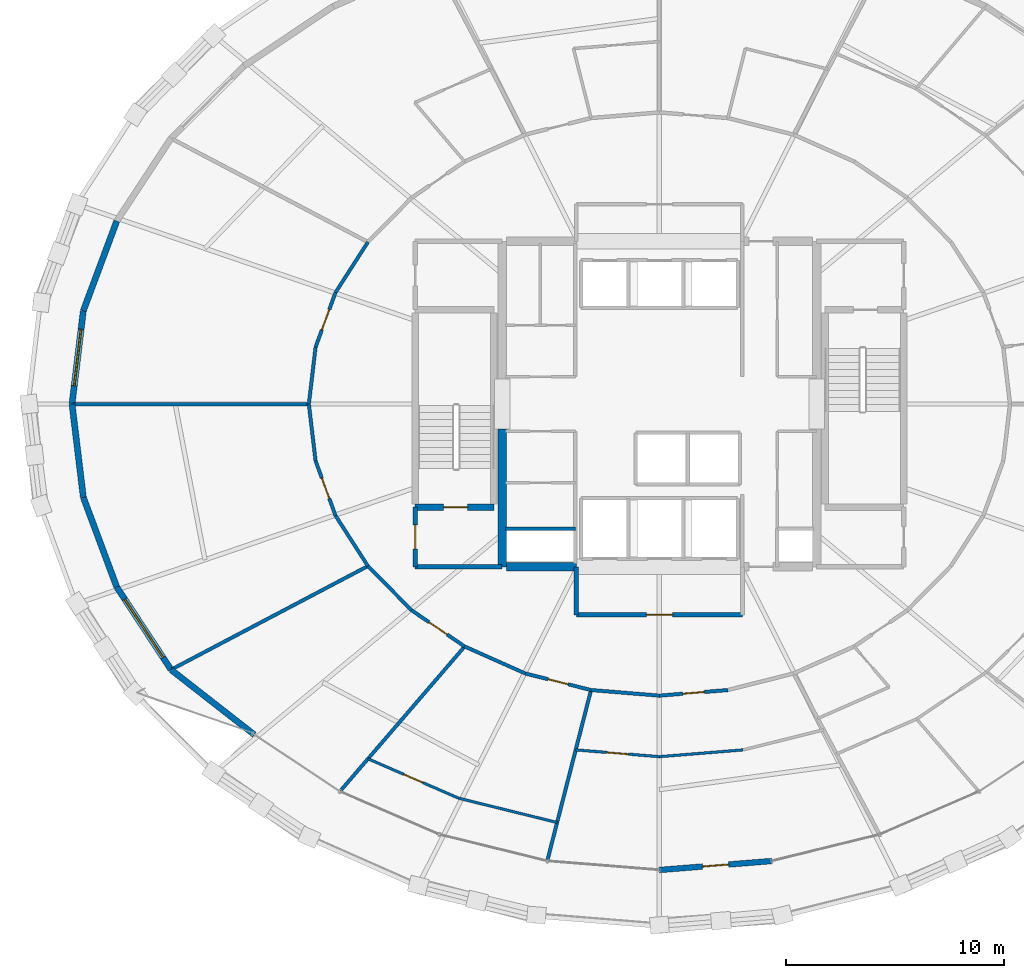
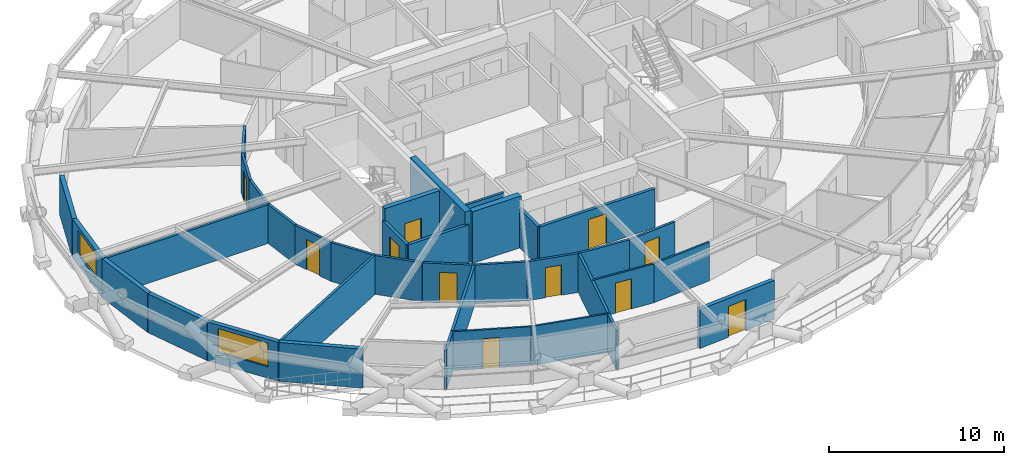
# One storey, part 15 of 21: 35 walls, 11 doors, 2 windows, 13 openings.
"""IFC4 building model written with IfcOpenShell, lengths in metres."""

from ifc_helpers import new_model, si_unit, direction, frame, frame_2d, origin, place, context, subcontext, project, spatial, rectangle, extrude, material, layer, layer_set, type_object, element, fill, save


model = new_model("IFC4")

# Units and contexts
model_context = context("Model", 3, precision=1e-05, world=origin(), true_north=direction((0.0, 1.0)))
body_context = subcontext(model_context, "Body", "Model", "MODEL_VIEW")
ifc_project = project(units=[si_unit("LENGTHUNIT", "METRE"), si_unit("AREAUNIT", "SQUARE_METRE"), si_unit("VOLUMEUNIT", "CUBIC_METRE"), si_unit("PLANEANGLEUNIT", "RADIAN"), si_unit("MASSUNIT", "GRAM", prefix="KILO")], contexts=[model_context])

# Site, building, storey
site_placement = place(None, origin())
site = spatial("IfcSite", under=ifc_project, at=site_placement, CompositionType="ELEMENT")
building_placement = place(site_placement, origin())
building = spatial("IfcBuilding", under=site, at=building_placement, Name="Veldorina Hangang Commons", CompositionType="ELEMENT")
storey_placement = place(building_placement, frame((0.0, 0.0, 66.39990234375)))
storey = spatial("IfcBuildingStorey", under=building, at=storey_placement, Name="L16", CompositionType="ELEMENT", Elevation=66.39990234375)

# Walls
ifc_material_1 = material(Name="Concrete C70/85", Category="concrete")
ifc_layer_1 = layer(ifc_material_1, 0.3798828125)
ifc_layer_set_1 = layer_set([ifc_layer_1], Name="Concrete C70/85")
wall_type_1 = type_object("IfcWallType", Name="CW-RC380-C70", PredefinedType="SHEAR", material=ifc_layer_set_1)
wall_1_placement = place(storey_placement, frame((24.800048828125, 16.550048828125, 0.0), z_axis=(0.0, 0.0, 1.0), x_axis=(0.0, 1.0, 0.0)))
element("IfcWall", 1, at=wall_1_placement, inside=storey, type_object=wall_type_1, Name="L16 W south core shear wall", PredefinedType="SHEAR", context=body_context, shape_type="SweptSolid", body=[
    extrude(rectangle(XDim=6.300048828125, YDim=0.3798828125, at=frame_2d((3.14990234375, 0.0))), origin(), (0.0, 0.0, 1.0), 3.60009765625),
])
wall_2_placement = place(storey_placement, frame((24.989990234375, 16.550048828125, 0.0), z_axis=(0.0, 0.0, 1.0), x_axis=(1.0, 0.0, 0.0)))
element("IfcWall", 2, at=wall_2_placement, inside=storey, type_object=wall_type_1, Name="L16 south-west core shear wall", PredefinedType="SHEAR", context=body_context, shape_type="SweptSolid", body=[
    extrude(rectangle(XDim=3.2099609375, YDim=0.3798828125, at=frame_2d((1.60498046875, 0.0))), origin(), (0.0, 0.0, 1.0), 3.60009765625),
])

# Wall, opening, door
ifc_material_2 = material(Name="Stone Roman Travertine", Category="masonry")
ifc_layer_2 = layer(ifc_material_2, 0.260009765625)
ifc_layer_set_2 = layer_set([ifc_layer_2], Name="Stone Roman Travertine")
wall_type_2 = type_object("IfcWallType", Name="EW-LOGGIA-260", PredefinedType="STANDARD", material=ifc_layer_set_2)
wall_3_placement = place(storey_placement, frame((32.0, 2.66845703125, 0.0), z_axis=(0.0, 0.0, 1.0), x_axis=(0.996831376445, 0.079543742268, 0.0)))
wall_3 = element("IfcWall", 3, at=wall_3_placement, inside=storey, type_object=wall_type_2, Name="L16 sky-garden loggia portal wall 24", PredefinedType="STANDARD", context=body_context, shape_type="SweptSolid", body=[
    extrude(rectangle(XDim=5.1533203125, YDim=0.260009765625, at=frame_2d((2.57666015625, 0.0))), origin(), (0.0, 0.0, 1.0), 2.710205078125),
])
opening_1_placement = place(wall_3_placement, frame((1.976806640625, 0.0, 0.0)))
opening_1 = element("IfcOpeningElement", 4, at=opening_1_placement, cuts=wall_3, Name="Opening BD-1200", PredefinedType="OPENING", context=body_context, shape_type="SweptSolid", body=[
    extrude(rectangle(XDim=1.199951171875, YDim=2.14990234375, at=frame_2d((0.60009765625, 1.074951171875))), frame((0.0, 0.14013671875, 0.0), z_axis=(0.0, -1.0, 0.0), x_axis=(1.0, 0.0, 0.0)), (0.0, 0.0, 1.0), 0.280029296875),
])
ifc_material_3 = material(Name="Glass Thermal Aluminium Frame", Category="aluminium")
door_type_1 = type_object("IfcDoorType", Name="DR-EXT-LOG1200", OperationType="SINGLE_SWING_LEFT", PredefinedType="DOOR", material=ifc_material_3)
door_1_placement = place(opening_1_placement, origin())
door_1 = element("IfcDoor", 5, at=door_1_placement, inside=storey, type_object=door_type_1, Name="L16 loggia glazed exterior door 24", OperationType="SINGLE_SWING_LEFT", OverallHeight=2.14990234375, OverallWidth=1.199951171875, PredefinedType="DOOR", context=body_context, shape_type="SweptSolid", body=[
    extrude(rectangle(XDim=1.199951171875, YDim=2.14990234375, at=frame_2d((0.60009765625, 1.074951171875))), frame((0.0, 0.02490234375, 0.0), z_axis=(0.0, -1.0, 0.0), x_axis=(1.0, 0.0, 0.0)), (0.0, 0.0, 1.0), 0.050048828125),
])
fill(opening_1, door_1)

# Wall
ifc_layer_3 = layer(ifc_material_2, 0.280029296875)
ifc_layer_set_3 = layer_set([ifc_layer_3], Name="Stone Roman Travertine")
wall_type_3 = type_object("IfcWallType", Name="EW-TRAV-280", PredefinedType="STANDARD", material=ifc_layer_set_3)
wall_4_placement = place(storey_placement, frame((7.155517578125, 32.37744140625, 0.0), z_axis=(0.0, 0.0, 1.0), x_axis=(-0.349175205633, -0.93705745596, 0.0)))
element("IfcWall", 6, at=wall_4_placement, inside=storey, type_object=wall_type_3, Name="L16 travertine facade wall 14", PredefinedType="STANDARD", context=body_context, shape_type="SweptSolid", body=[
    extrude(rectangle(XDim=4.382568359375, YDim=0.280029296875, at=frame_2d((2.19140625, 0.0))), origin(), (0.0, 0.0, 1.0), 2.710205078125),
])

# Wall, opening, window
wall_5_placement = place(storey_placement, frame((5.625244140625, 28.270751953125, 0.0), z_axis=(0.0, 0.0, 1.0), x_axis=(-0.120143237499, -0.992756567585, 0.0)))
wall_5 = element("IfcWall", 7, at=wall_5_placement, inside=storey, type_object=wall_type_3, Name="L16 travertine facade wall 15", PredefinedType="STANDARD", context=body_context, shape_type="SweptSolid", body=[
    extrude(rectangle(XDim=4.302001953125, YDim=0.280029296875, at=frame_2d((2.15087890625, 0.0))), origin(), (0.0, 0.0, 1.0), 2.710205078125),
])
opening_2_placement = place(wall_5_placement, frame((0.85107421875, 0.0, 0.800048828125)))
opening_2 = element("IfcOpeningElement", 8, at=opening_2_placement, cuts=wall_5, Name="Opening W-02", PredefinedType="OPENING", context=body_context, shape_type="SweptSolid", body=[
    extrude(rectangle(XDim=2.60009765625, YDim=1.64990234375, at=frame_2d((1.300048828125, 0.824951171875))), frame((0.0, 0.14990234375, 0.0), z_axis=(0.0, -1.0, 0.0), x_axis=(1.0, 0.0, 0.0)), (0.0, 0.0, 1.0), 0.300048828125),
])
ifc_material_4 = material(Name="Glass Low-E Triple IGU", Category="glass")
window_type_1 = type_object("IfcWindowType", Name="WIN-TWR-2600", PartitioningType="SINGLE_PANEL", PredefinedType="WINDOW", material=ifc_material_4)
window_1_placement = place(opening_2_placement, origin())
window_1 = element("IfcWindow", 9, at=window_1_placement, inside=storey, type_object=window_type_1, Name="L16 facade window 15", OverallHeight=1.64990234375, OverallWidth=2.60009765625, PartitioningType="SINGLE_PANEL", PredefinedType="WINDOW", context=body_context, shape_type="SweptSolid", body=[
    extrude(rectangle(XDim=2.60009765625, YDim=1.64990234375, at=frame_2d((1.300048828125, 0.824951171875))), frame((0.0, 0.030029296875, 0.0), z_axis=(0.0, -1.0, 0.0), x_axis=(1.0, 0.0, 0.0)), (0.0, 0.0, 1.0), 0.06005859375),
])
fill(opening_2, window_1)

# Walls
wall_6_placement = place(storey_placement, frame((5.1083984375, 24.0, 0.0), z_axis=(0.0, 0.0, 1.0), x_axis=(0.120143237499, -0.992756567585, 0.0)))
element("IfcWall", 10, at=wall_6_placement, inside=storey, type_object=wall_type_3, Name="L16 travertine facade wall 16", PredefinedType="STANDARD", context=body_context, shape_type="SweptSolid", body=[
    extrude(rectangle(XDim=4.302001953125, YDim=0.280029296875, at=frame_2d((2.15087890625, 0.0))), origin(), (0.0, 0.0, 1.0), 2.710205078125),
])
wall_7_placement = place(storey_placement, frame((5.625244140625, 19.729248046875, 0.0), z_axis=(0.0, 0.0, 1.0), x_axis=(0.349175205633, -0.93705745596, 0.0)))
element("IfcWall", 11, at=wall_7_placement, inside=storey, type_object=wall_type_3, Name="L16 travertine facade wall 17", PredefinedType="STANDARD", context=body_context, shape_type="SweptSolid", body=[
    extrude(rectangle(XDim=4.382568359375, YDim=0.280029296875, at=frame_2d((2.19140625, 0.0))), origin(), (0.0, 0.0, 1.0), 2.710205078125),
])

# Wall, opening, window
wall_8_placement = place(storey_placement, frame((7.155517578125, 15.62255859375, 0.0), z_axis=(0.0, 0.0, 1.0), x_axis=(0.54881308027, -0.83594509564, 0.0)))
wall_8 = element("IfcWall", 12, at=wall_8_placement, inside=storey, type_object=wall_type_3, Name="L16 travertine facade wall 18", PredefinedType="STANDARD", context=body_context, shape_type="SweptSolid", body=[
    extrude(rectangle(XDim=4.527587890625, YDim=0.280029296875, at=frame_2d((2.263671875, 0.0))), origin(), (0.0, 0.0, 1.0), 2.710205078125),
])
opening_3_placement = place(wall_8_placement, frame((0.663818359375, 0.0, 0.800048828125)))
opening_3 = element("IfcOpeningElement", 13, at=opening_3_placement, cuts=wall_8, Name="Opening W-01", PredefinedType="OPENING", context=body_context, shape_type="SweptSolid", body=[
    extrude(rectangle(XDim=3.199951171875, YDim=1.64990234375, at=frame_2d((1.60009765625, 0.824951171875))), frame((0.0, 0.14990234375, 0.0), z_axis=(0.0, -1.0, 0.0), x_axis=(1.0, 0.0, 0.0)), (0.0, 0.0, 1.0), 0.300048828125),
])
window_type_2 = type_object("IfcWindowType", Name="WIN-TWR-3200", PartitioningType="SINGLE_PANEL", PredefinedType="WINDOW", material=ifc_material_4)
window_2_placement = place(opening_3_placement, origin())
window_2 = element("IfcWindow", 14, at=window_2_placement, inside=storey, type_object=window_type_2, Name="L16 facade window 18", OverallHeight=1.64990234375, OverallWidth=3.199951171875, PartitioningType="SINGLE_PANEL", PredefinedType="WINDOW", context=body_context, shape_type="SweptSolid", body=[
    extrude(rectangle(XDim=3.199951171875, YDim=1.64990234375, at=frame_2d((1.60009765625, 0.824951171875))), frame((0.0, 0.030029296875, 0.0), z_axis=(0.0, -1.0, 0.0), x_axis=(1.0, 0.0, 0.0)), (0.0, 0.0, 1.0), 0.06005859375),
])
fill(opening_3, window_2)

# Wall
wall_9_placement = place(storey_placement, frame((9.640380859375, 11.837646484375, 0.0), z_axis=(0.0, 0.0, 1.0), x_axis=(0.788136059421, -0.615501057546, 0.0)))
element("IfcWall", 15, at=wall_9_placement, inside=storey, type_object=wall_type_3, Name="L16 travertine facade wall 19", PredefinedType="STANDARD", context=body_context, shape_type="SweptSolid", body=[
    extrude(rectangle(XDim=4.837890625, YDim=0.280029296875, at=frame_2d((2.4189453125, 0.0))), origin(), (0.0, 0.0, 1.0), 2.710205078125),
])

# Wall, opening, door
ifc_material_5 = material(Name="Concrete C50/60", Category="concrete")
ifc_layer_4 = layer(ifc_material_5, 0.300048828125)
ifc_layer_set_4 = layer_set([ifc_layer_4], Name="Concrete C50/60")
wall_type_4 = type_object("IfcWallType", Name="SW-STAIR-300", PredefinedType="SHEAR", material=ifc_layer_set_4)
wall_10_placement = place(storey_placement, frame((20.820068359375, 19.280029296875, 0.0), z_axis=(0.0, 0.0, 1.0), x_axis=(1.0, 0.0, 0.0)))
wall_10 = element("IfcWall", 16, at=wall_10_placement, inside=storey, type_object=wall_type_4, Name="L16 ST1 south stair shear wall", PredefinedType="SHEAR", context=body_context, shape_type="SweptSolid", body=[
    extrude(rectangle(XDim=3.599853515625, YDim=0.300048828125, at=frame_2d((1.7998046875, 0.0))), origin(), (0.0, 0.0, 1.0), 3.60009765625),
])
opening_4_placement = place(wall_10_placement, frame((1.300048828125, 0.0, 0.0)))
opening_4 = element("IfcOpeningElement", 17, at=opening_4_placement, cuts=wall_10, Name="Opening D-08", PredefinedType="OPENING", context=body_context, shape_type="SweptSolid", body=[
    extrude(rectangle(XDim=1.10009765625, YDim=2.10009765625, at=frame_2d((0.550048828125, 1.050048828125))), frame((0.0, 0.16015625, 0.0), z_axis=(0.0, -1.0, 0.0), x_axis=(1.0, 0.0, 0.0)), (0.0, 0.0, 1.0), 0.320068359375),
])
ifc_material_6 = material(Name="Steel Fire-Rated Smoke Seal", Category="steel")
door_type_2 = type_object("IfcDoorType", Name="DR-FIRE-1100", OperationType="SINGLE_SWING_RIGHT", PredefinedType="DOOR", material=ifc_material_6)
door_2_placement = place(opening_4_placement, origin())
door_2 = element("IfcDoor", 18, at=door_2_placement, inside=storey, type_object=door_type_2, Name="L16 Special Escape Stair ST-1 door", OperationType="SINGLE_SWING_LEFT", OverallHeight=2.10009765625, OverallWidth=1.10009765625, PredefinedType="DOOR", context=body_context, shape_type="SweptSolid", body=[
    extrude(rectangle(XDim=1.10009765625, YDim=2.10009765625, at=frame_2d((0.550048828125, 1.050048828125))), frame((0.0, 0.02490234375, 0.0), z_axis=(0.0, -1.0, 0.0), x_axis=(1.0, 0.0, 0.0)), (0.0, 0.0, 1.0), 0.050048828125),
])
fill(opening_4, door_2)

# Walls
ifc_material_7 = material(Name="Gypsum Fire-Rated Twin Stud Wall", Category="gypsum")
ifc_layer_5 = layer(ifc_material_7, 0.159912109375)
ifc_layer_set_5 = layer_set([ifc_layer_5], Name="Gypsum Fire-Rated Twin Stud Wall")
wall_type_5 = type_object("IfcWallType", Name="WL-FIRE-160", PredefinedType="SOLIDWALL", material=ifc_layer_set_5)
wall_11_placement = place(storey_placement, frame((24.949951171875, 18.300048828125, 0.0), z_axis=(0.0, 0.0, 1.0), x_axis=(1.0, 0.0, 0.0)))
element("IfcWall", 19, at=wall_11_placement, inside=storey, type_object=wall_type_5, Name="L16 Electrical riser wall 035", PredefinedType="SOLIDWALL", context=body_context, shape_type="SweptSolid", body=[
    extrude(rectangle(XDim=3.199951171875, YDim=0.159912109375, at=frame_2d((1.60009765625, 0.0))), origin(), (0.0, 0.0, 1.0), 2.710205078125),
])
wall_12_placement = place(storey_placement, frame((18.65478515625, 31.4169921875, 0.0), z_axis=(0.0, 0.0, 1.0), x_axis=(-0.540595670038, -0.841282545603, 0.0)))
element("IfcWall", 20, at=wall_12_placement, inside=storey, type_object=wall_type_5, Name="L16 Corridor outer wall 13 061", PredefinedType="SOLIDWALL", context=body_context, shape_type="SweptSolid", body=[
    extrude(rectangle(XDim=2.74365234375, YDim=0.159912109375, at=frame_2d((1.371826171875, 0.0))), origin(), (0.0, 0.0, 1.0), 2.710205078125),
])

# Wall, opening, door
wall_13_placement = place(storey_placement, frame((17.171630859375, 29.10888671875, 0.0), z_axis=(0.0, 0.0, 1.0), x_axis=(-0.342617982381, -0.939474809747, 0.0)))
wall_13 = element("IfcWall", 21, at=wall_13_placement, inside=storey, type_object=wall_type_5, Name="L16 Corridor outer wall 14 062", PredefinedType="SOLIDWALL", context=body_context, shape_type="SweptSolid", body=[
    extrude(rectangle(XDim=2.665771484375, YDim=0.159912109375, at=frame_2d((1.3330078125, 0.0))), origin(), (0.0, 0.0, 1.0), 2.710205078125),
])
opening_5_placement = place(wall_13_placement, frame((0.832763671875, 0.0, 0.0)))
opening_5 = element("IfcOpeningElement", 22, at=opening_5_placement, cuts=wall_13, Name="Opening D-05", PredefinedType="OPENING", context=body_context, shape_type="SweptSolid", body=[
    extrude(rectangle(XDim=1.0, YDim=2.10009765625, at=frame_2d((0.5, 1.050048828125))), frame((0.0, 0.08984375, 0.0), z_axis=(0.0, -1.0, 0.0), x_axis=(1.0, 0.0, 0.0)), (0.0, 0.0, 1.0), 0.179931640625),
])
ifc_material_8 = material(Name="Timber Solid Core Acoustic", Category="wood")
door_type_3 = type_object("IfcDoorType", Name="DR-INT-1000", OperationType="SINGLE_SWING_RIGHT", PredefinedType="DOOR", material=ifc_material_8)
door_3_placement = place(opening_5_placement, origin())
door_3 = element("IfcDoor", 23, at=door_3_placement, inside=storey, type_object=door_type_3, Name="L16 Floor Study Room 7 door 044", OperationType="SINGLE_SWING_RIGHT", OverallHeight=2.10009765625, OverallWidth=1.0, PredefinedType="DOOR", context=body_context, shape_type="SweptSolid", body=[
    extrude(rectangle(XDim=1.0, YDim=2.10009765625, at=frame_2d((0.5, 1.050048828125))), frame((0.0, 0.02490234375, 0.0), z_axis=(0.0, -1.0, 0.0), x_axis=(1.0, 0.0, 0.0)), (0.0, 0.0, 1.0), 0.050048828125),
])
fill(opening_5, door_3)

# Walls
for number, where, z_axis, x_axis, name in (
    (24, (16.25830078125, 26.6044921875, 0.0), (0.0, 0.0, 1.0), (-0.117570353762, -0.993064555765, 0.0), "L16 Corridor outer wall 15 063"),
    (25, (15.949951171875, 24.0, 0.0), (0.0, 0.0, 1.0), (0.117570353762, -0.993064555765, 0.0), "L16 Corridor outer wall 16 064"),
):
    element("IfcWall", number, at=place(storey_placement, frame(where, z_axis=z_axis, x_axis=x_axis)), inside=storey, type_object=wall_type_5, Name=name, PredefinedType="SOLIDWALL", context=body_context, shape_type="SweptSolid", body=[
        extrude(rectangle(XDim=2.622802734375, YDim=0.159912109375, at=frame_2d((1.3115234375, 0.0))), origin(), (0.0, 0.0, 1.0), 2.710205078125),
    ])

# Wall, opening, door
wall_14_placement = place(storey_placement, frame((16.25830078125, 21.3955078125, 0.0), z_axis=(0.0, 0.0, 1.0), x_axis=(0.342617982381, -0.939474809747, 0.0)))
wall_14 = element("IfcWall", 26, at=wall_14_placement, inside=storey, type_object=wall_type_5, Name="L16 Corridor outer wall 17 065", PredefinedType="SOLIDWALL", context=body_context, shape_type="SweptSolid", body=[
    extrude(rectangle(XDim=2.665771484375, YDim=0.159912109375, at=frame_2d((1.3330078125, 0.0))), origin(), (0.0, 0.0, 1.0), 2.710205078125),
])
opening_6_placement = place(wall_14_placement, frame((0.832763671875, 0.0, 0.0)))
opening_6 = element("IfcOpeningElement", 27, at=opening_6_placement, cuts=wall_14, Name="Opening D-05", PredefinedType="OPENING", context=body_context, shape_type="SweptSolid", body=[
    extrude(rectangle(XDim=1.0, YDim=2.10009765625, at=frame_2d((0.5, 1.050048828125))), frame((0.0, 0.08984375, 0.0), z_axis=(0.0, -1.0, 0.0), x_axis=(1.0, 0.0, 0.0)), (0.0, 0.0, 1.0), 0.179931640625),
])
door_4_placement = place(opening_6_placement, origin())
door_4 = element("IfcDoor", 28, at=door_4_placement, inside=storey, type_object=door_type_3, Name="L16 Floor Study Room 8 door 045", OperationType="SINGLE_SWING_LEFT", OverallHeight=2.10009765625, OverallWidth=1.0, PredefinedType="DOOR", context=body_context, shape_type="SweptSolid", body=[
    extrude(rectangle(XDim=1.0, YDim=2.10009765625, at=frame_2d((0.5, 1.050048828125))), frame((0.0, 0.02490234375, 0.0), z_axis=(0.0, -1.0, 0.0), x_axis=(1.0, 0.0, 0.0)), (0.0, 0.0, 1.0), 0.050048828125),
])
fill(opening_6, door_4)

# Walls
wall_15_placement = place(storey_placement, frame((17.171630859375, 18.89111328125, 0.0), z_axis=(0.0, 0.0, 1.0), x_axis=(0.540595670038, -0.841282545603, 0.0)))
element("IfcWall", 29, at=wall_15_placement, inside=storey, type_object=wall_type_5, Name="L16 Corridor outer wall 18 066", PredefinedType="SOLIDWALL", context=body_context, shape_type="SweptSolid", body=[
    extrude(rectangle(XDim=2.74365234375, YDim=0.159912109375, at=frame_2d((1.371826171875, 0.0))), origin(), (0.0, 0.0, 1.0), 2.710205078125),
])
wall_16_placement = place(storey_placement, frame((18.65478515625, 16.5830078125, 0.0), z_axis=(0.0, 0.0, 1.0), x_axis=(0.702366174226, -0.711815816981, 0.0)))
element("IfcWall", 30, at=wall_16_placement, inside=storey, type_object=wall_type_5, Name="L16 Corridor outer wall 19 067", PredefinedType="SOLIDWALL", context=body_context, shape_type="SweptSolid", body=[
    extrude(rectangle(XDim=2.842041015625, YDim=0.159912109375, at=frame_2d((1.4208984375, 0.0))), origin(), (0.0, 0.0, 1.0), 2.710205078125),
])

# Wall, opening, door
wall_17_placement = place(storey_placement, frame((20.65087890625, 14.56005859375, 0.0), z_axis=(0.0, 0.0, 1.0), x_axis=(0.825929039072, -0.563774088104, 0.0)))
wall_17 = element("IfcWall", 31, at=wall_17_placement, inside=storey, type_object=wall_type_5, Name="L16 Corridor outer wall 20 068", PredefinedType="SOLIDWALL", context=body_context, shape_type="SweptSolid", body=[
    extrude(rectangle(XDim=2.94482421875, YDim=0.159912109375, at=frame_2d((1.472412109375, 0.0))), origin(), (0.0, 0.0, 1.0), 2.710205078125),
])
opening_7_placement = place(wall_17_placement, frame((0.972412109375, 0.0, 0.0)))
opening_7 = element("IfcOpeningElement", 32, at=opening_7_placement, cuts=wall_17, Name="Opening D-05", PredefinedType="OPENING", context=body_context, shape_type="SweptSolid", body=[
    extrude(rectangle(XDim=1.0, YDim=2.10009765625, at=frame_2d((0.5, 1.050048828125))), frame((0.0, 0.08984375, 0.0), z_axis=(0.0, -1.0, 0.0), x_axis=(1.0, 0.0, 0.0)), (0.0, 0.0, 1.0), 0.179931640625),
])
door_5_placement = place(opening_7_placement, origin())
door_5 = element("IfcDoor", 33, at=door_5_placement, inside=storey, type_object=door_type_3, Name="L16 Seminar Focus Room 9 door 046", OperationType="SINGLE_SWING_RIGHT", OverallHeight=2.10009765625, OverallWidth=1.0, PredefinedType="DOOR", context=body_context, shape_type="SweptSolid", body=[
    extrude(rectangle(XDim=1.0, YDim=2.10009765625, at=frame_2d((0.5, 1.050048828125))), frame((0.0, 0.02490234375, 0.0), z_axis=(0.0, -1.0, 0.0), x_axis=(1.0, 0.0, 0.0)), (0.0, 0.0, 1.0), 0.050048828125),
])
fill(opening_7, door_5)

# Wall
wall_18_placement = place(storey_placement, frame((23.0830078125, 12.89990234375, 0.0), z_axis=(0.0, 0.0, 1.0), x_axis=(0.913768445178, -0.406235434936, 0.0)))
element("IfcWall", 34, at=wall_18_placement, inside=storey, type_object=wall_type_5, Name="L16 Corridor outer wall 21 069", PredefinedType="SOLIDWALL", context=body_context, shape_type="SweptSolid", body=[
    extrude(rectangle(XDim=3.036865234375, YDim=0.159912109375, at=frame_2d((1.5185546875, 0.0))), origin(), (0.0, 0.0, 1.0), 2.710205078125),
])

# Wall, opening, door
wall_19_placement = place(storey_placement, frame((25.85791015625, 11.666259765625, 0.0), z_axis=(0.0, 0.0, 1.0), x_axis=(0.969608333194, -0.244662380029, 0.0)))
wall_19 = element("IfcWall", 35, at=wall_19_placement, inside=storey, type_object=wall_type_5, Name="L16 Corridor outer wall 22 070", PredefinedType="SOLIDWALL", context=body_context, shape_type="SweptSolid", body=[
    extrude(rectangle(XDim=3.10546875, YDim=0.159912109375, at=frame_2d((1.552734375, 0.0))), origin(), (0.0, 0.0, 1.0), 2.710205078125),
])
opening_8_placement = place(wall_19_placement, frame((1.07763671875, 0.0, 0.0)))
opening_8 = element("IfcOpeningElement", 36, at=opening_8_placement, cuts=wall_19, Name="Opening D-02", PredefinedType="OPENING", context=body_context, shape_type="SweptSolid", body=[
    extrude(rectangle(XDim=0.949951171875, YDim=2.10009765625, at=frame_2d((0.47509765625, 1.050048828125))), frame((0.0, 0.08984375, 0.0), z_axis=(0.0, -1.0, 0.0), x_axis=(1.0, 0.0, 0.0)), (0.0, 0.0, 1.0), 0.179931640625),
])
door_type_4 = type_object("IfcDoorType", Name="DR-INT-950", OperationType="SINGLE_SWING_LEFT", PredefinedType="DOOR", material=ifc_material_8)
door_6_placement = place(opening_8_placement, origin())
door_6 = element("IfcDoor", 37, at=door_6_placement, inside=storey, type_object=door_type_4, Name="L16 Linen drying store door 047", OperationType="SINGLE_SWING_LEFT", OverallHeight=2.10009765625, OverallWidth=0.949951171875, PredefinedType="DOOR", context=body_context, shape_type="SweptSolid", body=[
    extrude(rectangle(XDim=0.949951171875, YDim=2.10009765625, at=frame_2d((0.47509765625, 1.050048828125))), frame((0.0, 0.02490234375, 0.0), z_axis=(0.0, -1.0, 0.0), x_axis=(1.0, 0.0, 0.0)), (0.0, 0.0, 1.0), 0.050048828125),
])
fill(opening_8, door_6)

# Wall
wall_20_placement = place(storey_placement, frame((28.868896484375, 10.906494140625, 0.0), z_axis=(0.0, 0.0, 1.0), x_axis=(0.996658973252, -0.081675522876, 0.0)))
element("IfcWall", 38, at=wall_20_placement, inside=storey, type_object=wall_type_5, Name="L16 Corridor outer wall 23 071", PredefinedType="SOLIDWALL", context=body_context, shape_type="SweptSolid", body=[
    extrude(rectangle(XDim=3.1416015625, YDim=0.159912109375, at=frame_2d((1.57080078125, 0.0))), origin(), (0.0, 0.0, 1.0), 2.710205078125),
])

# Wall, opening, door
wall_21_placement = place(storey_placement, frame((32.0, 10.64990234375, 0.0), z_axis=(0.0, 0.0, 1.0), x_axis=(0.996658973252, 0.081675522876, 0.0)))
wall_21 = element("IfcWall", 39, at=wall_21_placement, inside=storey, type_object=wall_type_5, Name="L16 Corridor outer wall 24 072", PredefinedType="SOLIDWALL", context=body_context, shape_type="SweptSolid", body=[
    extrude(rectangle(XDim=3.1416015625, YDim=0.159912109375, at=frame_2d((1.57080078125, 0.0))), origin(), (0.0, 0.0, 1.0), 2.710205078125),
])
opening_9_placement = place(wall_21_placement, frame((1.07080078125, 0.0, 0.0)))
opening_9 = element("IfcOpeningElement", 40, at=opening_9_placement, cuts=wall_21, Name="Opening D-05", PredefinedType="OPENING", context=body_context, shape_type="SweptSolid", body=[
    extrude(rectangle(XDim=1.0, YDim=2.10009765625, at=frame_2d((0.5, 1.050048828125))), frame((0.0, 0.08984375, 0.0), z_axis=(0.0, -1.0, 0.0), x_axis=(1.0, 0.0, 0.0)), (0.0, 0.0, 1.0), 0.179931640625),
])
door_7_placement = place(opening_9_placement, origin())
door_7 = element("IfcDoor", 41, at=door_7_placement, inside=storey, type_object=door_type_3, Name="L16 Commons alcove door 020", OperationType="SINGLE_SWING_RIGHT", OverallHeight=2.10009765625, OverallWidth=1.0, PredefinedType="DOOR", context=body_context, shape_type="SweptSolid", body=[
    extrude(rectangle(XDim=1.0, YDim=2.10009765625, at=frame_2d((0.5, 1.050048828125))), frame((0.0, 0.02490234375, 0.0), z_axis=(0.0, -1.0, 0.0), x_axis=(1.0, 0.0, 0.0)), (0.0, 0.0, 1.0), 0.050048828125),
])
fill(opening_9, door_7)

# Walls
wall_22_placement = place(storey_placement, frame((28.868896484375, 10.906494140625, 0.0), z_axis=(0.0, 0.0, 1.0), x_axis=(-0.248210785058, -0.968706047354, 0.0)))
element("IfcWall", 42, at=wall_22_placement, inside=storey, type_object=wall_type_5, Name="L16 Unit party wall 23 080", PredefinedType="SOLIDWALL", context=body_context, shape_type="SweptSolid", body=[
    extrude(rectangle(XDim=8.031005859375, YDim=0.159912109375, at=frame_2d((4.015625, 0.0))), origin(), (0.0, 0.0, 1.0), 2.710205078125),
])
wall_23_placement = place(storey_placement, frame((15.949951171875, 24.0, 0.0), z_axis=(0.0, 0.0, 1.0), x_axis=(-1.0, 0.0, 0.0)))
element("IfcWall", 43, at=wall_23_placement, inside=storey, type_object=wall_type_5, Name="L16 Unit party wall 16 122", PredefinedType="SOLIDWALL", context=body_context, shape_type="SweptSolid", body=[
    extrude(rectangle(XDim=10.79150390625, YDim=0.159912109375, at=frame_2d((5.395751953125, 0.0))), origin(), (0.0, 0.0, 1.0), 2.710205078125),
])
wall_24_placement = place(storey_placement, frame((18.65478515625, 16.5830078125, 0.0), z_axis=(0.0, 0.0, 1.0), x_axis=(-0.88488217161, -0.465814922868, 0.0)))
element("IfcWall", 44, at=wall_24_placement, inside=storey, type_object=wall_type_5, Name="L16 Unit party wall 19 123", PredefinedType="SOLIDWALL", context=body_context, shape_type="SweptSolid", body=[
    extrude(rectangle(XDim=10.136962890625, YDim=0.159912109375, at=frame_2d((5.068359375, 0.0))), origin(), (0.0, 0.0, 1.0), 2.710205078125),
])
wall_25_placement = place(storey_placement, frame((23.0830078125, 12.89990234375, 0.0), z_axis=(0.0, 0.0, 1.0), x_axis=(-0.652358069084, -0.757910911454, 0.0)))
element("IfcWall", 45, at=wall_25_placement, inside=storey, type_object=wall_type_5, Name="L16 Unit party wall 21 124", PredefinedType="SOLIDWALL", context=body_context, shape_type="SweptSolid", body=[
    extrude(rectangle(XDim=8.7060546875, YDim=0.159912109375, at=frame_2d((4.35302734375, 0.0))), origin(), (0.0, 0.0, 1.0), 2.710205078125),
])

# Wall, opening, door
ifc_material_9 = material(Name="Concrete Blockwork Fire Wall C30/37", Category="masonry")
ifc_layer_6 = layer(ifc_material_9, 0.199951171875)
ifc_layer_set_6 = layer_set([ifc_layer_6], Name="Concrete Blockwork Fire Wall C30/37")
wall_type_6 = type_object("IfcWallType", Name="WL-FIRE-200", PredefinedType="SOLIDWALL", material=ifc_layer_set_6)
wall_26_placement = place(storey_placement, frame((20.820068359375, 16.550048828125, 0.0), z_axis=(0.0, 0.0, 1.0), x_axis=(0.0, 1.0, 0.0)))
wall_26 = element("IfcWall", 46, at=wall_26_placement, inside=storey, type_object=wall_type_6, Name="L16 West vestibule outer wall 001", PredefinedType="SOLIDWALL", context=body_context, shape_type="SweptSolid", body=[
    extrude(rectangle(XDim=2.72998046875, YDim=0.199951171875, at=frame_2d((1.364990234375, 0.0))), origin(), (0.0, 0.0, 1.0), 2.710205078125),
])
opening_10_placement = place(wall_26_placement, frame((0.81494140625, 0.0, 0.0)))
opening_10 = element("IfcOpeningElement", 47, at=opening_10_placement, cuts=wall_26, Name="Opening D-08", PredefinedType="OPENING", context=body_context, shape_type="SweptSolid", body=[
    extrude(rectangle(XDim=1.10009765625, YDim=2.10009765625, at=frame_2d((0.550048828125, 1.050048828125))), frame((0.0, 0.10986328125, 0.0), z_axis=(0.0, -1.0, 0.0), x_axis=(1.0, 0.0, 0.0)), (0.0, 0.0, 1.0), 0.219970703125),
])
door_8_placement = place(opening_10_placement, origin())
door_8 = element("IfcDoor", 48, at=door_8_placement, inside=storey, type_object=door_type_2, Name="L16 West vestibule west door 001", OperationType="SINGLE_SWING_LEFT", OverallHeight=2.10009765625, OverallWidth=1.10009765625, PredefinedType="DOOR", context=body_context, shape_type="SweptSolid", body=[
    extrude(rectangle(XDim=1.10009765625, YDim=2.10009765625, at=frame_2d((0.550048828125, 1.050048828125))), frame((0.0, 0.02490234375, 0.0), z_axis=(0.0, -1.0, 0.0), x_axis=(1.0, 0.0, 0.0)), (0.0, 0.0, 1.0), 0.050048828125),
])
fill(opening_10, door_8)

# Walls
wall_27_placement = place(storey_placement, frame((20.820068359375, 16.550048828125, 0.0), z_axis=(0.0, 0.0, 1.0), x_axis=(1.0, 0.0, 0.0)))
element("IfcWall", 49, at=wall_27_placement, inside=storey, type_object=wall_type_6, Name="L16 West vestibule south wall 002", PredefinedType="SOLIDWALL", context=body_context, shape_type="SweptSolid", body=[
    extrude(rectangle(XDim=3.97998046875, YDim=0.199951171875, at=frame_2d((1.989990234375, 0.0))), origin(), (0.0, 0.0, 1.0), 2.710205078125),
])
wall_28_placement = place(storey_placement, frame((28.199951171875, 14.35009765625, 0.0), z_axis=(0.0, 0.0, 1.0), x_axis=(0.0, 1.0, 0.0)))
element("IfcWall", 50, at=wall_28_placement, inside=storey, type_object=wall_type_6, Name="L16 FF lobby west wall 012", PredefinedType="SOLIDWALL", context=body_context, shape_type="SweptSolid", body=[
    extrude(rectangle(XDim=2.199951171875, YDim=0.199951171875, at=frame_2d((1.10009765625, 0.0))), origin(), (0.0, 0.0, 1.0), 2.710205078125),
])

# Wall, opening, door
wall_29_placement = place(storey_placement, frame((28.199951171875, 14.35009765625, 0.0), z_axis=(0.0, 0.0, 1.0), x_axis=(1.0, 0.0, 0.0)))
wall_29 = element("IfcWall", 51, at=wall_29_placement, inside=storey, type_object=wall_type_6, Name="L16 FF lobby south wall 014", PredefinedType="SOLIDWALL", context=body_context, shape_type="SweptSolid", body=[
    extrude(rectangle(XDim=7.60009765625, YDim=0.199951171875, at=frame_2d((3.800048828125, 0.0))), origin(), (0.0, 0.0, 1.0), 2.710205078125),
])
opening_11_placement = place(wall_29_placement, frame((3.199951171875, 0.0, 0.0)))
opening_11 = element("IfcOpeningElement", 52, at=opening_11_placement, cuts=wall_29, Name="Opening D-09", PredefinedType="OPENING", context=body_context, shape_type="SweptSolid", body=[
    extrude(rectangle(XDim=1.199951171875, YDim=2.10009765625, at=frame_2d((0.60009765625, 1.050048828125))), frame((0.0, 0.10986328125, 0.0), z_axis=(0.0, -1.0, 0.0), x_axis=(1.0, 0.0, 0.0)), (0.0, 0.0, 1.0), 0.219970703125),
])
ifc_material_10 = material(Name="Steel Fire-Rated Corridor Door", Category="steel")
door_type_5 = type_object("IfcDoorType", Name="DR-FIRE-1200", OperationType="SINGLE_SWING_LEFT", PredefinedType="DOOR", material=ifc_material_10)
door_9_placement = place(opening_11_placement, origin())
door_9 = element("IfcDoor", 53, at=door_9_placement, inside=storey, type_object=door_type_5, Name="L16 FF lobby south corridor door 005", OperationType="SINGLE_SWING_LEFT", OverallHeight=2.10009765625, OverallWidth=1.199951171875, PredefinedType="DOOR", context=body_context, shape_type="SweptSolid", body=[
    extrude(rectangle(XDim=1.199951171875, YDim=2.10009765625, at=frame_2d((0.60009765625, 1.050048828125))), frame((0.0, 0.02490234375, 0.0), z_axis=(0.0, -1.0, 0.0), x_axis=(1.0, 0.0, 0.0)), (0.0, 0.0, 1.0), 0.050048828125),
])
fill(opening_11, door_9)

ifc_material_11 = material(Name="Gypsum Acoustic Stud Partition", Category="gypsum")
ifc_layer_7 = layer(ifc_material_11, 0.1201171875)
ifc_layer_set_7 = layer_set([ifc_layer_7], Name="Gypsum Acoustic Stud Partition")
wall_type_7 = type_object("IfcWallType", Name="WL-PART-120", PredefinedType="PARTITIONING", material=ifc_layer_set_7)
wall_30_placement = place(storey_placement, frame((28.166748046875, 8.166748046875, 0.0), z_axis=(0.0, 0.0, 1.0), x_axis=(0.99673954334, -0.080686323138, 0.0)))
wall_30 = element("IfcWall", 54, at=wall_30_placement, inside=storey, type_object=wall_type_7, Name="L16 Lounge alcove split 0 081", PredefinedType="PARTITIONING", context=body_context, shape_type="SweptSolid", body=[
    extrude(rectangle(XDim=3.845703125, YDim=0.1201171875, at=frame_2d((1.9228515625, 0.0))), origin(), (0.0, 0.0, 1.0), 2.710205078125),
])
opening_12_placement = place(wall_30_placement, frame((1.4228515625, 0.0, 0.0)))
opening_12 = element("IfcOpeningElement", 55, at=opening_12_placement, cuts=wall_30, Name="Opening D-05", PredefinedType="OPENING", context=body_context, shape_type="SweptSolid", body=[
    extrude(rectangle(XDim=1.0, YDim=2.10009765625, at=frame_2d((0.5, 1.050048828125))), frame((0.0, 0.070068359375, 0.0), z_axis=(0.0, -1.0, 0.0), x_axis=(1.0, 0.0, 0.0)), (0.0, 0.0, 1.0), 0.14013671875),
])
door_10_placement = place(opening_12_placement, origin())
door_10 = element("IfcDoor", 56, at=door_10_placement, inside=storey, type_object=door_type_3, Name="L16 Commons lounge door 021", OperationType="SINGLE_SWING_LEFT", OverallHeight=2.10009765625, OverallWidth=1.0, PredefinedType="DOOR", context=body_context, shape_type="SweptSolid", body=[
    extrude(rectangle(XDim=1.0, YDim=2.10009765625, at=frame_2d((0.5, 1.050048828125))), frame((0.0, 0.02490234375, 0.0), z_axis=(0.0, -1.0, 0.0), x_axis=(1.0, 0.0, 0.0)), (0.0, 0.0, 1.0), 0.050048828125),
])
fill(opening_12, door_10)

# Wall
wall_31_placement = place(storey_placement, frame((32.0, 7.8564453125, 0.0), z_axis=(0.0, 0.0, 1.0), x_axis=(0.99673954334, 0.080686323138, 0.0)))
element("IfcWall", 57, at=wall_31_placement, inside=storey, type_object=wall_type_7, Name="L16 Lounge alcove split 1 082", PredefinedType="PARTITIONING", context=body_context, shape_type="SweptSolid", body=[
    extrude(rectangle(XDim=3.845703125, YDim=0.1201171875, at=frame_2d((1.9228515625, 0.0))), origin(), (0.0, 0.0, 1.0), 2.710205078125),
])

# Wall, opening, door
wall_32_placement = place(storey_placement, frame((18.65869140625, 7.759521484375, 0.0), z_axis=(0.0, 0.0, 1.0), x_axis=(0.917079487315, -0.398704419272, 0.0)))
wall_32 = element("IfcWall", 58, at=wall_32_placement, inside=storey, type_object=wall_type_7, Name="L16 Laundry split 0 125", PredefinedType="PARTITIONING", context=body_context, shape_type="SweptSolid", body=[
    extrude(rectangle(XDim=4.527099609375, YDim=0.1201171875, at=frame_2d((2.263671875, 0.0))), origin(), (0.0, 0.0, 1.0), 2.710205078125),
])
opening_13_placement = place(wall_32_placement, frame((1.78857421875, 0.0, 0.0)))
opening_13 = element("IfcOpeningElement", 59, at=opening_13_placement, cuts=wall_32, Name="Opening D-02", PredefinedType="OPENING", context=body_context, shape_type="SweptSolid", body=[
    extrude(rectangle(XDim=0.949951171875, YDim=2.10009765625, at=frame_2d((0.47509765625, 1.050048828125))), frame((0.0, 0.070068359375, 0.0), z_axis=(0.0, -1.0, 0.0), x_axis=(1.0, 0.0, 0.0)), (0.0, 0.0, 1.0), 0.14013671875),
])
door_11_placement = place(opening_13_placement, origin())
door_11 = element("IfcDoor", 60, at=door_11_placement, inside=storey, type_object=door_type_4, Name="L16 Resident laundry inner door 048", OperationType="SINGLE_SWING_RIGHT", OverallHeight=2.10009765625, OverallWidth=0.949951171875, PredefinedType="DOOR", context=body_context, shape_type="SweptSolid", body=[
    extrude(rectangle(XDim=0.949951171875, YDim=2.10009765625, at=frame_2d((0.47509765625, 1.050048828125))), frame((0.0, 0.02490234375, 0.0), z_axis=(0.0, -1.0, 0.0), x_axis=(1.0, 0.0, 0.0)), (0.0, 0.0, 1.0), 0.050048828125),
])
fill(opening_13, door_11)

# Wall
wall_33_placement = place(storey_placement, frame((22.810302734375, 5.95458984375, 0.0), z_axis=(0.0, 0.0, 1.0), x_axis=(0.970880772031, -0.239563199385, 0.0)))
element("IfcWall", 61, at=wall_33_placement, inside=storey, type_object=wall_type_7, Name="L16 Laundry split 1 126", PredefinedType="PARTITIONING", context=body_context, shape_type="SweptSolid", body=[
    extrude(rectangle(XDim=4.639892578125, YDim=0.1201171875, at=frame_2d((2.31982421875, 0.0))), origin(), (0.0, 0.0, 1.0), 2.710205078125),
])

save(model, "model.ifc")
